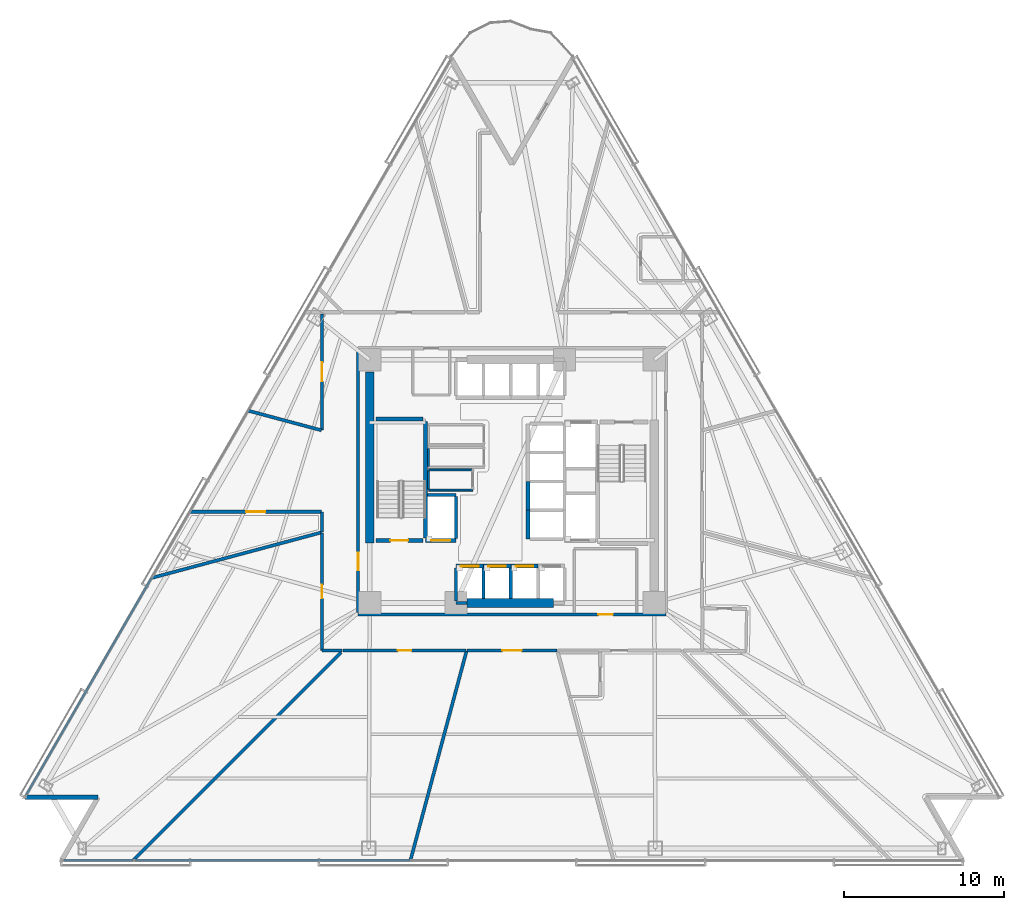
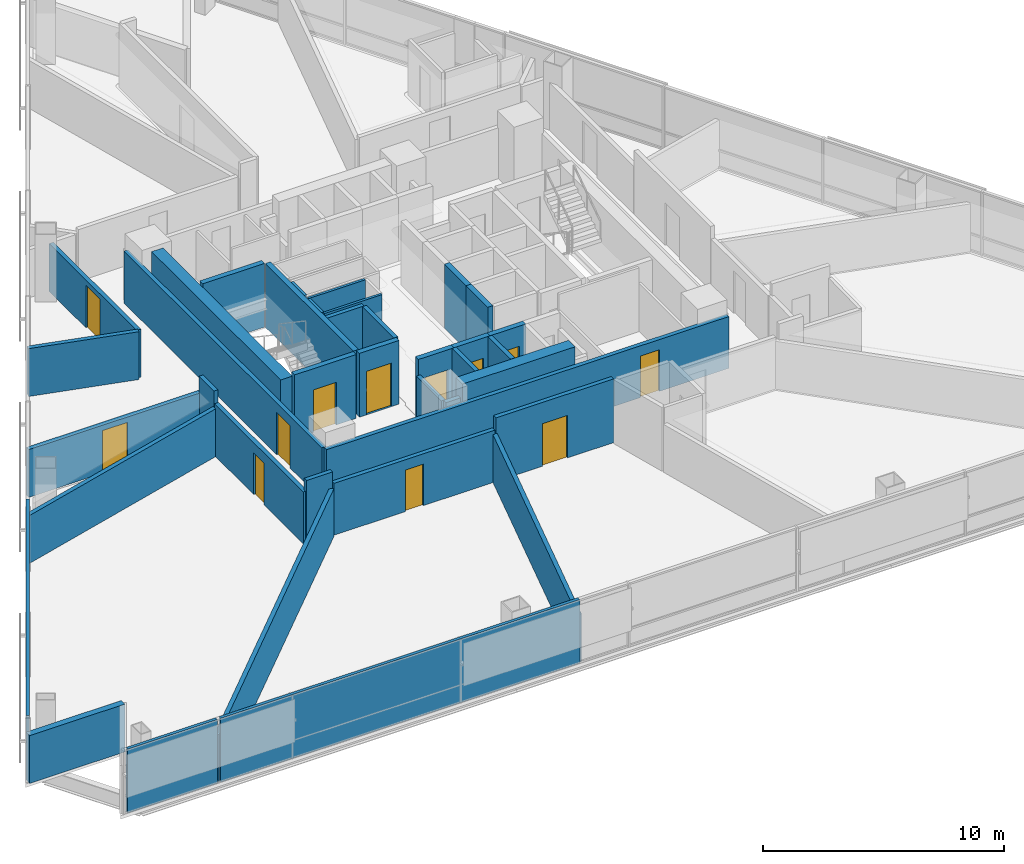
# One storey, part 7 of 16: 38 walls, 12 doors, 12 openings.
"""IFC4 building model written with IfcOpenShell, lengths in metres."""

from ifc_helpers import new_model, si_unit, direction, frame, frame_2d, origin, place, context, subcontext, project, spatial, rectangle, extrude, material, layer, layer_set, type_object, element, fill, save


model = new_model("IFC4")

# Units and contexts
model_context = context("Model", 3, precision=1e-05, world=origin(), true_north=direction((0.0, 1.0)))
body_context = subcontext(model_context, "Body", "Model", "MODEL_VIEW")
ifc_project = project(units=[si_unit("LENGTHUNIT", "METRE"), si_unit("AREAUNIT", "SQUARE_METRE"), si_unit("VOLUMEUNIT", "CUBIC_METRE"), si_unit("PLANEANGLEUNIT", "RADIAN"), si_unit("MASSUNIT", "GRAM", prefix="KILO")], contexts=[model_context])

# Site, building, storey
site_placement = place(None, origin())
site = spatial("IfcSite", under=ifc_project, at=site_placement, CompositionType="ELEMENT")
building_placement = place(site_placement, origin())
building = spatial("IfcBuilding", under=site, at=building_placement, Name="Tharavind Bronze Gate", CompositionType="ELEMENT")
storey_placement = place(building_placement, frame((0.0, 0.0, 48.85009765625)))
storey = spatial("IfcBuildingStorey", under=building, at=storey_placement, Name="L11", CompositionType="ELEMENT", Elevation=48.85009765625)

# Wall
ifc_material_1 = material(Name="Concrete C40/50", Category="concrete")
ifc_layer_1 = layer(ifc_material_1, 0.300048828125)
ifc_layer_set_1 = layer_set([ifc_layer_1], Name="Concrete C40/50")
wall_type_1 = type_object("IfcWallType", Name="EXTERIOR SPANDREL WALL 300", PredefinedType="STANDARD", material=ifc_layer_set_1)
wall_1_placement = place(storey_placement, frame((-30.455810546875, -19.7509765625, 0.0), z_axis=(0.0, 0.0, 1.0), x_axis=(1.0, 0.0, 0.0)))
element("IfcWall", 1, at=wall_1_placement, inside=storey, type_object=wall_type_1, Name="L11 notch cheek wall 2A", PredefinedType="STANDARD", context=body_context, shape_type="SweptSolid", body=[
    extrude(rectangle(XDim=4.56005859375, YDim=0.300048828125, at=frame_2d((2.280029296875, 0.0))), origin(), (0.0, 0.0, 1.0), 2.419921875),
])

# Wall, opening, door
ifc_material_2 = material(Name="Aerated Concrete Block", Category="concrete")
ifc_layer_2 = layer(ifc_material_2, 0.199951171875)
ifc_layer_set_2 = layer_set([ifc_layer_2], Name="Aerated Concrete Block")
wall_type_2 = type_object("IfcWallType", Name="FIRE RATED PARTITION 200", PredefinedType="PARTITIONING", material=ifc_layer_set_2)
wall_2_placement = place(storey_placement, frame((-9.6201171875, -8.320068359375, 0.0), z_axis=(0.0, 0.0, 1.0), x_axis=(1.0, 0.0, 0.0)))
wall_2 = element("IfcWall", 2, at=wall_2_placement, inside=storey, type_object=wall_type_2, Name="L11 south core corridor wall", PredefinedType="PARTITIONING", context=body_context, shape_type="SweptSolid", body=[
    extrude(rectangle(XDim=19.240234375, YDim=0.199951171875, at=frame_2d((9.6201171875, 0.0))), origin(), (0.0, 0.0, 1.0), 2.619873046875),
])
opening_1_placement = place(wall_2_placement, frame((15.02001953125, 0.0, 0.0)))
opening_1 = element("IfcOpeningElement", 3, at=opening_1_placement, cuts=wall_2, Name="Opening ID07", PredefinedType="OPENING", context=body_context, shape_type="SweptSolid", body=[
    extrude(rectangle(XDim=0.89990234375, YDim=2.10009765625, at=frame_2d((0.449951171875, 1.050048828125))), frame((0.0, 0.11009765625, 0.0), z_axis=(0.0, -1.0, 0.0), x_axis=(1.0, 0.0, 0.0)), (0.0, 0.0, 1.0), 0.219951171875),
])
ifc_material_3 = material(Name="Galvanised Fire Steel", Category="steel")
door_type_1 = type_object("IfcDoorType", Name="PLANT AND RISER FIRE DOOR 900X2100", OperationType="SINGLE_SWING_LEFT", PredefinedType="DOOR", material=ifc_material_3)
door_1_placement = place(opening_1_placement, origin())
door_1 = element("IfcDoor", 4, at=door_1_placement, inside=storey, type_object=door_type_1, Name="L11 Telecom Metering Room fire door", OperationType="SINGLE_SWING_LEFT", OverallHeight=2.10009765625, OverallWidth=0.89990234375, PredefinedType="DOOR", context=body_context, shape_type="SweptSolid", body=[
    extrude(rectangle(XDim=0.89990234375, YDim=2.10009765625, at=frame_2d((0.449951171875, 1.050048828125))), frame((0.0, 0.02490234375, 0.0), z_axis=(0.0, -1.0, 0.0), x_axis=(1.0, 0.0, 0.0)), (0.0, 0.0, 1.0), 0.050048828125),
])
fill(opening_1, door_1)

wall_3_placement = place(storey_placement, frame((-9.6201171875, 8.199951171875, 0.0), z_axis=(0.0, 0.0, 1.0), x_axis=(0.0, -1.0, 0.0)))
wall_3 = element("IfcWall", 5, at=wall_3_placement, inside=storey, type_object=wall_type_2, Name="L11 west core corridor wall", PredefinedType="PARTITIONING", context=body_context, shape_type="SweptSolid", body=[
    extrude(rectangle(XDim=16.39990234375, YDim=0.199951171875, at=frame_2d((8.199951171875, 0.0))), origin(), (0.0, 0.0, 1.0), 2.619873046875),
])
opening_2_placement = place(wall_3_placement, frame((12.64990234375, 0.0, 0.0)))
opening_2 = element("IfcOpeningElement", 6, at=opening_2_placement, cuts=wall_3, Name="Opening ID01", PredefinedType="OPENING", context=body_context, shape_type="SweptSolid", body=[
    extrude(rectangle(XDim=1.10009765625, YDim=2.14990234375, at=frame_2d((0.550048828125, 1.074951171875))), frame((0.0, 0.11009765625, 0.0), z_axis=(0.0, -1.0, 0.0), x_axis=(1.0, 0.0, 0.0)), (0.0, 0.0, 1.0), 0.219951171875),
])
ifc_material_4 = material(Name="Fire-Rated Steel", Category="steel")
door_type_2 = type_object("IfcDoorType", Name="STAIR CORE FIRE DOOR 1100X2150", OperationType="SINGLE_SWING_LEFT", PredefinedType="DOOR", material=ifc_material_4)
door_2_placement = place(opening_2_placement, frame((1.10009765625, 0.0, 0.0), z_axis=(0.0, 0.0, 1.0), x_axis=(-1.0, 0.0, 0.0)))
door_2 = element("IfcDoor", 7, at=door_2_placement, inside=storey, type_object=door_type_2, Name="L11 south west stair lobby fire door", OperationType="SINGLE_SWING_LEFT", OverallHeight=2.14990234375, OverallWidth=1.10009765625, PredefinedType="DOOR", context=body_context, shape_type="SweptSolid", body=[
    extrude(rectangle(XDim=1.10009765625, YDim=2.14990234375, at=frame_2d((0.550048828125, 1.074951171875))), frame((0.0, 0.02490234375, 0.0), z_axis=(0.0, -1.0, 0.0), x_axis=(1.0, 0.0, 0.0)), (0.0, 0.0, 1.0), 0.050048828125),
])
fill(opening_2, door_2)

# Wall
wall_4_placement = place(storey_placement, frame((-22.529541015625, -6.036865234375, 0.0), z_axis=(0.0, 0.0, 1.0), x_axis=(0.965922374415, 0.258831927328, 0.0)))
element("IfcWall", 8, at=wall_4_placement, inside=storey, type_object=wall_type_2, Name="L11 Public Restrooms Block partition", PredefinedType="PARTITIONING", context=body_context, shape_type="SweptSolid", body=[
    extrude(rectangle(XDim=10.992431640625, YDim=0.199951171875, at=frame_2d((5.49609375, 0.0))), origin(), (0.0, 0.0, 1.0), 2.419921875),
])

# Wall, opening, door
wall_5_placement = place(storey_placement, frame((-11.8798828125, -3.2158203125, 0.0), z_axis=(0.0, 0.0, 1.0), x_axis=(0.0, -1.0, 0.0)))
wall_5 = element("IfcWall", 9, at=wall_5_placement, inside=storey, type_object=wall_type_2, Name="L11 Public Restrooms Block partition", PredefinedType="PARTITIONING", context=body_context, shape_type="SweptSolid", body=[
    extrude(rectangle(XDim=7.363525390625, YDim=0.199951171875, at=frame_2d((3.681640625, 0.0))), origin(), (0.0, 0.0, 1.0), 2.619873046875),
])
opening_3_placement = place(wall_5_placement, frame((3.257080078125, 0.0, 0.0)))
opening_3 = element("IfcOpeningElement", 10, at=opening_3_placement, cuts=wall_5, Name="Opening ID06", PredefinedType="OPENING", context=body_context, shape_type="SweptSolid", body=[
    extrude(rectangle(XDim=0.85009765625, YDim=2.10009765625, at=frame_2d((0.425048828125, 1.050048828125))), frame((0.0, 0.11009765625, 0.0), z_axis=(0.0, -1.0, 0.0), x_axis=(1.0, 0.0, 0.0)), (0.0, 0.0, 1.0), 0.219951171875),
])
ifc_material_5 = material(Name="Moisture-Resistant Timber", Category="wood")
door_type_3 = type_object("IfcDoorType", Name="BATHROOM PRIVACY DOOR 850X2100", OperationType="SINGLE_SWING_RIGHT", PredefinedType="DOOR", material=ifc_material_5)
door_3_placement = place(opening_3_placement, origin())
door_3 = element("IfcDoor", 11, at=door_3_placement, inside=storey, type_object=door_type_3, Name="L11 Public Restrooms Block door", OperationType="SINGLE_SWING_RIGHT", OverallHeight=2.10009765625, OverallWidth=0.85009765625, PredefinedType="DOOR", context=body_context, shape_type="SweptSolid", body=[
    extrude(rectangle(XDim=0.85009765625, YDim=2.10009765625, at=frame_2d((0.425048828125, 1.050048828125))), frame((0.0, 0.02490234375, 0.0), z_axis=(0.0, -1.0, 0.0), x_axis=(1.0, 0.0, 0.0)), (0.0, 0.0, 1.0), 0.050048828125),
])
fill(opening_3, door_3)

# Walls
wall_6_placement = place(storey_placement, frame((-11.87939453125, -10.580078125, 0.0), z_axis=(0.0, 0.0, 1.0), x_axis=(1.0, 0.0, 0.0)))
element("IfcWall", 12, at=wall_6_placement, inside=storey, type_object=wall_type_2, Name="L11 Public Restrooms Block partition", PredefinedType="PARTITIONING", context=body_context, shape_type="SweptSolid", body=[
    extrude(rectangle(XDim=1.239013671875, YDim=0.199951171875, at=frame_2d((0.61962890625, 0.0))), origin(), (0.0, 0.0, 1.0), 3.224853515625),
])
wall_7_placement = place(storey_placement, frame((-10.68505859375, -10.68505859375, 0.0), z_axis=(0.0, 0.0, 1.0), x_axis=(-0.707106781187, -0.707106781187, 0.0)))
element("IfcWall", 13, at=wall_7_placement, inside=storey, type_object=wall_type_2, Name="L11 Public Restrooms Block partition", PredefinedType="PARTITIONING", context=body_context, shape_type="SweptSolid", body=[
    extrude(rectangle(XDim=18.3955078125, YDim=0.199951171875, at=frame_2d((9.19775390625, 0.0))), origin(), (0.0, 0.0, 1.0), 2.419921875),
])

# Wall, opening, door
wall_8_placement = place(storey_placement, frame((-10.569580078125, -10.580078125, 0.0), z_axis=(0.0, 0.0, 1.0), x_axis=(1.0, 0.0, 0.0)))
wall_8 = element("IfcWall", 14, at=wall_8_placement, inside=storey, type_object=wall_type_2, Name="L11 Public Restrooms Block partition", PredefinedType="PARTITIONING", context=body_context, shape_type="SweptSolid", body=[
    extrude(rectangle(XDim=7.7021484375, YDim=0.199951171875, at=frame_2d((3.85107421875, 0.0))), origin(), (0.0, 0.0, 1.0), 2.619873046875),
])
opening_4_placement = place(wall_8_placement, frame((3.426025390625, 0.0, 0.0)))
opening_4 = element("IfcOpeningElement", 15, at=opening_4_placement, cuts=wall_8, Name="Opening ID06", PredefinedType="OPENING", context=body_context, shape_type="SweptSolid", body=[
    extrude(rectangle(XDim=0.85009765625, YDim=2.10009765625, at=frame_2d((0.425048828125, 1.050048828125))), frame((0.0, 0.11009765625, 0.0), z_axis=(0.0, -1.0, 0.0), x_axis=(1.0, 0.0, 0.0)), (0.0, 0.0, 1.0), 0.219951171875),
])
door_4_placement = place(opening_4_placement, origin())
door_4 = element("IfcDoor", 16, at=door_4_placement, inside=storey, type_object=door_type_3, Name="L11 Public Restrooms Block door", OperationType="SINGLE_SWING_RIGHT", OverallHeight=2.10009765625, OverallWidth=0.85009765625, PredefinedType="DOOR", context=body_context, shape_type="SweptSolid", body=[
    extrude(rectangle(XDim=0.85009765625, YDim=2.10009765625, at=frame_2d((0.425048828125, 1.050048828125))), frame((0.0, 0.02490234375, 0.0), z_axis=(0.0, -1.0, 0.0), x_axis=(1.0, 0.0, 0.0)), (0.0, 0.0, 1.0), 0.050048828125),
])
fill(opening_4, door_4)

# Wall
wall_9_placement = place(storey_placement, frame((-2.84326171875, -10.611572265625, 0.0), z_axis=(0.0, 0.0, 1.0), x_axis=(-0.25882927933, -0.965923083978, 0.0)))
element("IfcWall", 17, at=wall_9_placement, inside=storey, type_object=wall_type_2, Name="L11 Public Restrooms Block partition", PredefinedType="PARTITIONING", context=body_context, shape_type="SweptSolid", body=[
    extrude(rectangle(XDim=13.531005859375, YDim=0.199951171875, at=frame_2d((6.765625, 0.0))), origin(), (0.0, 0.0, 1.0), 2.419921875),
])

# Wall, opening, door
wall_10_placement = place(storey_placement, frame((-11.8798828125, 10.47509765625, 0.0), z_axis=(0.0, 0.0, 1.0), x_axis=(0.0, -1.0, 0.0)))
wall_10 = element("IfcWall", 18, at=wall_10_placement, inside=storey, type_object=wall_type_2, Name="L11 Hotel Guest Lounge partition", PredefinedType="PARTITIONING", context=body_context, shape_type="SweptSolid", body=[
    extrude(rectangle(XDim=7.25927734375, YDim=0.199951171875, at=frame_2d((3.629638671875, 0.0))), origin(), (0.0, 0.0, 1.0), 2.419921875),
])
opening_5_placement = place(wall_10_placement, frame((3.030029296875, 0.0, 0.0)))
opening_5 = element("IfcOpeningElement", 19, at=opening_5_placement, cuts=wall_10, Name="Opening ID05", PredefinedType="OPENING", context=body_context, shape_type="SweptSolid", body=[
    extrude(rectangle(XDim=1.199951171875, YDim=2.14990234375, at=frame_2d((0.60009765625, 1.074951171875))), frame((0.0, 0.11009765625, 0.0), z_axis=(0.0, -1.0, 0.0), x_axis=(1.0, 0.0, 0.0)), (0.0, 0.0, 1.0), 0.219951171875),
])
ifc_material_6 = material(Name="Acoustic Laminated Glass", Category="glass")
door_type_4 = type_object("IfcDoorType", Name="MEETING ROOM GLAZED DOOR 1200X2150", OperationType="SINGLE_SWING_LEFT", PredefinedType="DOOR", material=ifc_material_6)
door_5_placement = place(opening_5_placement, origin())
door_5 = element("IfcDoor", 20, at=door_5_placement, inside=storey, type_object=door_type_4, Name="L11 Hotel Guest Lounge door", OperationType="SINGLE_SWING_LEFT", OverallHeight=2.14990234375, OverallWidth=1.199951171875, PredefinedType="DOOR", context=body_context, shape_type="SweptSolid", body=[
    extrude(rectangle(XDim=1.199951171875, YDim=2.14990234375, at=frame_2d((0.60009765625, 1.074951171875))), frame((0.0, 0.02490234375, 0.0), z_axis=(0.0, -1.0, 0.0), x_axis=(1.0, 0.0, 0.0)), (0.0, 0.0, 1.0), 0.050048828125),
])
fill(opening_5, door_5)

# Wall
wall_11_placement = place(storey_placement, frame((-11.91162109375, 3.191650390625, 0.0), z_axis=(0.0, 0.0, 1.0), x_axis=(-0.965923733473, 0.258826855473, 0.0)))
element("IfcWall", 21, at=wall_11_placement, inside=storey, type_object=wall_type_2, Name="L11 Hotel Guest Lounge partition", PredefinedType="PARTITIONING", context=body_context, shape_type="SweptSolid", body=[
    extrude(rectangle(XDim=4.750244140625, YDim=0.199951171875, at=frame_2d((2.375, 0.0))), origin(), (0.0, 0.0, 1.0), 2.419921875),
])

# Wall, opening, door
wall_12_placement = place(storey_placement, frame((-20.149658203125, -1.89990234375, 0.0), z_axis=(0.0, 0.0, 1.0), x_axis=(1.0, 0.0, 0.0)))
wall_12 = element("IfcWall", 22, at=wall_12_placement, inside=storey, type_object=wall_type_2, Name="L11 Hotel Dining Bistro partition", PredefinedType="PARTITIONING", context=body_context, shape_type="SweptSolid", body=[
    extrude(rectangle(XDim=8.24462890625, YDim=0.199951171875, at=frame_2d((4.122314453125, 0.0))), origin(), (0.0, 0.0, 1.0), 2.419921875),
])
opening_6_placement = place(wall_12_placement, frame((3.52197265625, 0.0, 0.0)))
opening_6 = element("IfcOpeningElement", 23, at=opening_6_placement, cuts=wall_12, Name="Opening ID05", PredefinedType="OPENING", context=body_context, shape_type="SweptSolid", body=[
    extrude(rectangle(XDim=1.199951171875, YDim=2.14990234375, at=frame_2d((0.60009765625, 1.074951171875))), frame((0.0, 0.11009765625, 0.0), z_axis=(0.0, -1.0, 0.0), x_axis=(1.0, 0.0, 0.0)), (0.0, 0.0, 1.0), 0.219951171875),
])
door_6_placement = place(opening_6_placement, origin())
door_6 = element("IfcDoor", 24, at=door_6_placement, inside=storey, type_object=door_type_4, Name="L11 Hotel Dining Bistro door", OperationType="SINGLE_SWING_LEFT", OverallHeight=2.14990234375, OverallWidth=1.199951171875, PredefinedType="DOOR", context=body_context, shape_type="SweptSolid", body=[
    extrude(rectangle(XDim=1.199951171875, YDim=2.14990234375, at=frame_2d((0.60009765625, 1.074951171875))), frame((0.0, 0.02490234375, 0.0), z_axis=(0.0, -1.0, 0.0), x_axis=(1.0, 0.0, 0.0)), (0.0, 0.0, 1.0), 0.050048828125),
])
fill(opening_6, door_6)

# Wall
wall_13_placement = place(storey_placement, frame((-11.8798828125, -1.925048828125, 0.0), z_axis=(0.0, 0.0, 1.0), x_axis=(0.0, -1.0, 0.0)))
element("IfcWall", 25, at=wall_13_placement, inside=storey, type_object=wall_type_2, Name="L11 Hotel Dining Bistro partition", PredefinedType="PARTITIONING", context=body_context, shape_type="SweptSolid", body=[
    extrude(rectangle(XDim=1.239013671875, YDim=0.199951171875, at=frame_2d((0.61962890625, 0.0))), origin(), (0.0, 0.0, 1.0), 3.224853515625),
])

# Wall, opening, door
wall_14_placement = place(storey_placement, frame((-2.815673828125, -10.580078125, 0.0), z_axis=(0.0, 0.0, 1.0), x_axis=(1.0, 0.0, 0.0)))
wall_14 = element("IfcWall", 26, at=wall_14_placement, inside=storey, type_object=wall_type_2, Name="L11 Hotel Guest Lounge partition", PredefinedType="PARTITIONING", context=body_context, shape_type="SweptSolid", body=[
    extrude(rectangle(XDim=5.63134765625, YDim=0.199951171875, at=frame_2d((2.815673828125, 0.0))), origin(), (0.0, 0.0, 1.0), 3.224853515625),
])
opening_7_placement = place(wall_14_placement, frame((2.216064453125, 0.0, 0.0)))
opening_7 = element("IfcOpeningElement", 27, at=opening_7_placement, cuts=wall_14, Name="Opening ID05", PredefinedType="OPENING", context=body_context, shape_type="SweptSolid", body=[
    extrude(rectangle(XDim=1.199951171875, YDim=2.14990234375, at=frame_2d((0.60009765625, 1.074951171875))), frame((0.0, 0.11009765625, 0.0), z_axis=(0.0, -1.0, 0.0), x_axis=(1.0, 0.0, 0.0)), (0.0, 0.0, 1.0), 0.219951171875),
])
door_7_placement = place(opening_7_placement, origin())
door_7 = element("IfcDoor", 28, at=door_7_placement, inside=storey, type_object=door_type_4, Name="L11 Hotel Guest Lounge door", OperationType="SINGLE_SWING_LEFT", OverallHeight=2.14990234375, OverallWidth=1.199951171875, PredefinedType="DOOR", context=body_context, shape_type="SweptSolid", body=[
    extrude(rectangle(XDim=1.199951171875, YDim=2.14990234375, at=frame_2d((0.60009765625, 1.074951171875))), frame((0.0, 0.02490234375, 0.0), z_axis=(0.0, -1.0, 0.0), x_axis=(1.0, 0.0, 0.0)), (0.0, 0.0, 1.0), 0.050048828125),
])
fill(opening_7, door_7)

# Walls
ifc_material_7 = material(Name="Metal Stud Gypsum Partition", Category="gypsum")
ifc_layer_3 = layer(ifc_material_7, 0.1201171875)
ifc_layer_set_3 = layer_set([ifc_layer_3], Name="Metal Stud Gypsum Partition")
wall_type_3 = type_object("IfcWallType", Name="INTERIOR PARTITION WALL 120", PredefinedType="PARTITIONING", material=ifc_layer_set_3)
wall_15_placement = place(storey_placement, frame((-5.219970703125, 2.054931640625, 0.0), z_axis=(0.0, 0.0, 1.0), x_axis=(0.0, -1.0, 0.0)))
element("IfcWall", 29, at=wall_15_placement, inside=storey, type_object=wall_type_3, Name="L11 Comms Data Room partition 4", PredefinedType="PARTITIONING", context=body_context, shape_type="SweptSolid", body=[
    extrude(rectangle(XDim=1.10986328125, YDim=0.1201171875, at=frame_2d((0.554931640625, 0.0))), origin(), (0.0, 0.0, 1.0), 3.224853515625),
])
wall_16_placement = place(storey_placement, frame((-5.219970703125, -0.550048828125, 0.0), z_axis=(0.0, 0.0, 1.0), x_axis=(1.0, 0.0, 0.0)))
element("IfcWall", 30, at=wall_16_placement, inside=storey, type_object=wall_type_3, Name="L11 Electrical Metering Store partition 1", PredefinedType="PARTITIONING", context=body_context, shape_type="SweptSolid", body=[
    extrude(rectangle(XDim=2.77001953125, YDim=0.1201171875, at=frame_2d((1.385009765625, 0.0))), origin(), (0.0, 0.0, 1.0), 3.224853515625),
])
wall_17_placement = place(storey_placement, frame((-2.514892578125, 0.719970703125, 0.0), z_axis=(0.0, 0.0, 1.0), x_axis=(-1.0, 0.0, 0.0)))
element("IfcWall", 31, at=wall_17_placement, inside=storey, type_object=wall_type_3, Name="L11 Electrical Metering Store partition 3", PredefinedType="PARTITIONING", context=body_context, shape_type="SweptSolid", body=[
    extrude(rectangle(XDim=2.705078125, YDim=0.1201171875, at=frame_2d((1.3525390625, 0.0))), origin(), (0.0, 0.0, 1.0), 3.224853515625),
])
wall_18_placement = place(storey_placement, frame((-5.219970703125, 0.655029296875, 0.0), z_axis=(0.0, 0.0, 1.0), x_axis=(0.0, -1.0, 0.0)))
element("IfcWall", 32, at=wall_18_placement, inside=storey, type_object=wall_type_3, Name="L11 Electrical Metering Store partition 4", PredefinedType="PARTITIONING", context=body_context, shape_type="SweptSolid", body=[
    extrude(rectangle(XDim=1.14013671875, YDim=0.1201171875, at=frame_2d((0.570068359375, 0.0))), origin(), (0.0, 0.0, 1.0), 3.224853515625),
])
ifc_material_8 = material(Name="Twin Stud Acoustic Gypsum", Category="gypsum")
ifc_layer_4 = layer(ifc_material_8, 0.14990234375)
ifc_layer_set_4 = layer_set([ifc_layer_4], Name="Twin Stud Acoustic Gypsum")
wall_type_4 = type_object("IfcWallType", Name="INTERIOR PARTITION WALL 150", PredefinedType="PARTITIONING", material=ifc_layer_set_4)
wall_19_placement = place(storey_placement, frame((-30.3662109375, -19.595947265625, 0.0), z_axis=(0.0, 0.0, 1.0), x_axis=(0.499991293932, 0.866030430177, 0.0)))
element("IfcWall", 33, at=wall_19_placement, inside=storey, type_object=wall_type_4, Name="L11 Public Restrooms Block partition", PredefinedType="PARTITIONING", context=body_context, shape_type="SweptSolid", body=[
    extrude(rectangle(XDim=15.643310546875, YDim=0.14990234375, at=frame_2d((7.82177734375, 0.0))), origin(), (0.0, 0.0, 1.0), 3.224853515625),
])
wall_20_placement = place(storey_placement, frame((-23.71044921875, -23.699951171875, 0.0), z_axis=(0.0, 0.0, 1.0), x_axis=(-1.0, 0.0, 0.0)))
element("IfcWall", 34, at=wall_20_placement, inside=storey, type_object=wall_type_4, Name="L11 Public Restrooms Block partition", PredefinedType="PARTITIONING", context=body_context, shape_type="SweptSolid", body=[
    extrude(rectangle(XDim=4.286376953125, YDim=0.14990234375, at=frame_2d((2.14306640625, 0.0))), origin(), (0.0, 0.0, 1.0), 3.224853515625),
])
wall_21_placement = place(storey_placement, frame((-6.36962890625, -23.699951171875, 0.0), z_axis=(0.0, 0.0, 1.0), x_axis=(-1.0, 0.0, 0.0)))
element("IfcWall", 35, at=wall_21_placement, inside=storey, type_object=wall_type_4, Name="L11 Public Restrooms Block partition", PredefinedType="PARTITIONING", context=body_context, shape_type="SweptSolid", body=[
    extrude(rectangle(XDim=17.181884765625, YDim=0.14990234375, at=frame_2d((8.5908203125, 0.0))), origin(), (0.0, 0.0, 1.0), 3.224853515625),
])
ifc_material_9 = material(Name="Concrete C50/60", Category="concrete")
ifc_layer_5 = layer(ifc_material_9, 0.25)
ifc_layer_set_5 = layer_set([ifc_layer_5], Name="Concrete C50/60")
wall_type_5 = type_object("IfcWallType", Name="RC CORE SHEAR WALL 250", PredefinedType="SHEAR", material=ifc_layer_set_5)
wall_22_placement = place(storey_placement, frame((-5.39990234375, -3.550048828125, 0.0), z_axis=(0.0, 0.0, 1.0), x_axis=(0.0, 1.0, 0.0)))
element("IfcWall", 36, at=wall_22_placement, inside=storey, type_object=wall_type_5, Name="L11 ST1 shaft east wall", PredefinedType="SHEAR", context=body_context, shape_type="SweptSolid", body=[
    extrude(rectangle(XDim=7.300048828125, YDim=0.25, at=frame_2d((3.64990234375, 0.0))), origin(), (0.0, 0.0, 1.0), 3.224853515625),
])

# Wall, opening, door
wall_23_placement = place(storey_placement, frame((-8.5, -3.699951171875, 0.0), z_axis=(0.0, 0.0, 1.0), x_axis=(1.0, 0.0, 0.0)))
wall_23 = element("IfcWall", 37, at=wall_23_placement, inside=storey, type_object=wall_type_5, Name="L11 ST1 shaft south wall", PredefinedType="SHEAR", context=body_context, shape_type="SweptSolid", body=[
    extrude(rectangle(XDim=2.949951171875, YDim=0.25, at=frame_2d((1.47509765625, 0.0))), origin(), (0.0, 0.0, 1.0), 3.224853515625),
])
opening_8_placement = place(wall_23_placement, frame((0.89990234375, 0.0, 0.0)))
opening_8 = element("IfcOpeningElement", 38, at=opening_8_placement, cuts=wall_23, Name="Opening ID01", PredefinedType="OPENING", context=body_context, shape_type="SweptSolid", body=[
    extrude(rectangle(XDim=1.10009765625, YDim=2.14990234375, at=frame_2d((0.550048828125, 1.074951171875))), frame((0.0, 0.135, 0.0), z_axis=(0.0, -1.0, 0.0), x_axis=(1.0, 0.0, 0.0)), (0.0, 0.0, 1.0), 0.27),
])
door_8_placement = place(opening_8_placement, origin())
door_8 = element("IfcDoor", 39, at=door_8_placement, inside=storey, type_object=door_type_2, Name="L11 exit stair ST1 fire door", OperationType="SINGLE_SWING_LEFT", OverallHeight=2.14990234375, OverallWidth=1.10009765625, PredefinedType="DOOR", context=body_context, shape_type="SweptSolid", body=[
    extrude(rectangle(XDim=1.10009765625, YDim=2.14990234375, at=frame_2d((0.550048828125, 1.074951171875))), frame((0.0, 0.02490234375, 0.0), z_axis=(0.0, -1.0, 0.0), x_axis=(1.0, 0.0, 0.0)), (0.0, 0.0, 1.0), 0.050048828125),
])
fill(opening_8, door_8)

# Wall
wall_24_placement = place(storey_placement, frame((-8.5, 3.89990234375, 0.0), z_axis=(0.0, 0.0, 1.0), x_axis=(1.0, 0.0, 0.0)))
element("IfcWall", 40, at=wall_24_placement, inside=storey, type_object=wall_type_5, Name="L11 ST1 shaft north wall", PredefinedType="SHEAR", context=body_context, shape_type="SweptSolid", body=[
    extrude(rectangle(XDim=2.949951171875, YDim=0.25, at=frame_2d((1.47509765625, 0.0))), origin(), (0.0, 0.0, 1.0), 3.224853515625),
])

# Wall, opening, door
wall_25_placement = place(storey_placement, frame((-3.5, -5.300048828125, 0.0), z_axis=(0.0, 0.0, 1.0), x_axis=(1.0, 0.0, 0.0)))
wall_25 = element("IfcWall", 41, at=wall_25_placement, inside=storey, type_object=wall_type_5, Name="L11 lift PL1 shaft front wall", PredefinedType="SHEAR", context=body_context, shape_type="SweptSolid", body=[
    extrude(rectangle(XDim=1.71240234375, YDim=0.25, at=frame_2d((0.856201171875, 0.0))), origin(), (0.0, 0.0, 1.0), 3.224853515625),
])
opening_9_placement = place(wall_25_placement, frame((0.305908203125, 0.0, 0.0)))
opening_9 = element("IfcOpeningElement", 42, at=opening_9_placement, cuts=wall_25, Name="Opening LD01", PredefinedType="OPENING", context=body_context, shape_type="SweptSolid", body=[
    extrude(rectangle(XDim=1.10009765625, YDim=2.199951171875, at=frame_2d((0.550048828125, 1.10009765625))), frame((0.0, 0.135, 0.0), z_axis=(0.0, -1.0, 0.0), x_axis=(1.0, 0.0, 0.0)), (0.0, 0.0, 1.0), 0.27),
])
ifc_material_10 = material(Name="Brushed Bronze Stainless Steel", Category="steel")
door_type_5 = type_object("IfcDoorType", Name="LIFT LANDING SLIDING DOOR 1100X2200", OperationType="SLIDING_TO_LEFT", PredefinedType="DOOR", material=ifc_material_10)
door_9_placement = place(opening_9_placement, origin())
door_9 = element("IfcDoor", 43, at=door_9_placement, inside=storey, type_object=door_type_5, Name="L11 lift PL1 sliding landing door", OperationType="SLIDING_TO_LEFT", OverallHeight=2.199951171875, OverallWidth=1.10009765625, PredefinedType="DOOR", context=body_context, shape_type="SweptSolid", body=[
    extrude(rectangle(XDim=1.10009765625, YDim=2.199951171875, at=frame_2d((0.550048828125, 1.10009765625))), frame((0.0, 0.02490234375, 0.0), z_axis=(0.0, -1.0, 0.0), x_axis=(1.0, 0.0, 0.0)), (0.0, 0.0, 1.0), 0.050048828125),
])
fill(opening_9, door_9)

wall_26_placement = place(storey_placement, frame((-1.78759765625, -5.300048828125, 0.0), z_axis=(0.0, 0.0, 1.0), x_axis=(1.0, 0.0, 0.0)))
wall_26 = element("IfcWall", 44, at=wall_26_placement, inside=storey, type_object=wall_type_5, Name="L11 lift PL2 shaft front wall", PredefinedType="SHEAR", context=body_context, shape_type="SweptSolid", body=[
    extrude(rectangle(XDim=1.712646484375, YDim=0.25, at=frame_2d((0.8564453125, 0.0))), origin(), (0.0, 0.0, 1.0), 3.224853515625),
])
opening_10_placement = place(wall_26_placement, frame((0.305908203125, 0.0, 0.0)))
opening_10 = element("IfcOpeningElement", 45, at=opening_10_placement, cuts=wall_26, Name="Opening LD01", PredefinedType="OPENING", context=body_context, shape_type="SweptSolid", body=[
    extrude(rectangle(XDim=1.10009765625, YDim=2.199951171875, at=frame_2d((0.550048828125, 1.10009765625))), frame((0.0, 0.135, 0.0), z_axis=(0.0, -1.0, 0.0), x_axis=(1.0, 0.0, 0.0)), (0.0, 0.0, 1.0), 0.27),
])
door_10_placement = place(opening_10_placement, origin())
door_10 = element("IfcDoor", 46, at=door_10_placement, inside=storey, type_object=door_type_5, Name="L11 lift PL2 sliding landing door", OperationType="SLIDING_TO_LEFT", OverallHeight=2.199951171875, OverallWidth=1.10009765625, PredefinedType="DOOR", context=body_context, shape_type="SweptSolid", body=[
    extrude(rectangle(XDim=1.10009765625, YDim=2.199951171875, at=frame_2d((0.550048828125, 1.10009765625))), frame((0.0, 0.02490234375, 0.0), z_axis=(0.0, -1.0, 0.0), x_axis=(1.0, 0.0, 0.0)), (0.0, 0.0, 1.0), 0.050048828125),
])
fill(opening_10, door_10)

wall_27_placement = place(storey_placement, frame((-0.074951171875, -5.300048828125, 0.0), z_axis=(0.0, 0.0, 1.0), x_axis=(1.0, 0.0, 0.0)))
wall_27 = element("IfcWall", 47, at=wall_27_placement, inside=storey, type_object=wall_type_5, Name="L11 lift PL3 shaft front wall", PredefinedType="SHEAR", context=body_context, shape_type="SweptSolid", body=[
    extrude(rectangle(XDim=1.71240234375, YDim=0.25, at=frame_2d((0.856201171875, 0.0))), origin(), (0.0, 0.0, 1.0), 3.224853515625),
])
opening_11_placement = place(wall_27_placement, frame((0.305908203125, 0.0, 0.0)))
opening_11 = element("IfcOpeningElement", 48, at=opening_11_placement, cuts=wall_27, Name="Opening LD01", PredefinedType="OPENING", context=body_context, shape_type="SweptSolid", body=[
    extrude(rectangle(XDim=1.10009765625, YDim=2.199951171875, at=frame_2d((0.550048828125, 1.10009765625))), frame((0.0, 0.135, 0.0), z_axis=(0.0, -1.0, 0.0), x_axis=(1.0, 0.0, 0.0)), (0.0, 0.0, 1.0), 0.27),
])
door_11_placement = place(opening_11_placement, origin())
door_11 = element("IfcDoor", 49, at=door_11_placement, inside=storey, type_object=door_type_5, Name="L11 lift PL3 sliding landing door", OperationType="SLIDING_TO_LEFT", OverallHeight=2.199951171875, OverallWidth=1.10009765625, PredefinedType="DOOR", context=body_context, shape_type="SweptSolid", body=[
    extrude(rectangle(XDim=1.10009765625, YDim=2.199951171875, at=frame_2d((0.550048828125, 1.10009765625))), frame((0.0, 0.02490234375, 0.0), z_axis=(0.0, -1.0, 0.0), x_axis=(1.0, 0.0, 0.0)), (0.0, 0.0, 1.0), 0.050048828125),
])
fill(opening_11, door_11)

# Walls
for number, where, z_axis, x_axis, name in (
    (50, (1.0, -3.60009765625, 0.0), (0.0, 0.0, 1.0), (0.0, 1.0, 0.0), "L11 lift PL9 shaft front wall"),
    (51, (1.0, -1.800048828125, 0.0), (0.0, 0.0, 1.0), (0.0, 1.0, 0.0), "L11 lift PL10 shaft front wall"),
):
    element("IfcWall", number, at=place(storey_placement, frame(where, z_axis=z_axis, x_axis=x_axis)), inside=storey, type_object=wall_type_5, Name=name, PredefinedType="SHEAR", context=body_context, shape_type="SweptSolid", body=[
        extrude(rectangle(XDim=1.800048828125, YDim=0.25, at=frame_2d((0.89990234375, 0.0))), origin(), (0.0, 0.0, 1.0), 3.224853515625),
    ])

# Wall, opening, door
wall_28_placement = place(storey_placement, frame((-5.39990234375, -3.699951171875, 0.0), z_axis=(0.0, 0.0, 1.0), x_axis=(1.0, 0.0, 0.0)))
wall_28 = element("IfcWall", 52, at=wall_28_placement, inside=storey, type_object=wall_type_5, Name="L11 lift FFL1 shaft front wall", PredefinedType="SHEAR", context=body_context, shape_type="SweptSolid", body=[
    extrude(rectangle(XDim=1.89990234375, YDim=0.25, at=frame_2d((0.949951171875, 0.0))), origin(), (0.0, 0.0, 1.0), 3.224853515625),
])
opening_12_placement = place(wall_28_placement, frame((0.35009765625, 0.0, 0.0)))
opening_12 = element("IfcOpeningElement", 53, at=opening_12_placement, cuts=wall_28, Name="Opening LD02", PredefinedType="OPENING", context=body_context, shape_type="SweptSolid", body=[
    extrude(rectangle(XDim=1.199951171875, YDim=2.199951171875, at=frame_2d((0.60009765625, 1.10009765625))), frame((0.0, 0.135, 0.0), z_axis=(0.0, -1.0, 0.0), x_axis=(1.0, 0.0, 0.0)), (0.0, 0.0, 1.0), 0.27),
])
ifc_material_11 = material(Name="Brushed Stainless Steel", Category="steel")
door_type_6 = type_object("IfcDoorType", Name="FIREFIGHTING LIFT LANDING DOOR 1200X2200", OperationType="SLIDING_TO_RIGHT", PredefinedType="DOOR", material=ifc_material_11)
door_12_placement = place(opening_12_placement, origin())
door_12 = element("IfcDoor", 54, at=door_12_placement, inside=storey, type_object=door_type_6, Name="L11 lift FFL1 sliding landing door", OperationType="SLIDING_TO_RIGHT", OverallHeight=2.199951171875, OverallWidth=1.199951171875, PredefinedType="DOOR", context=body_context, shape_type="SweptSolid", body=[
    extrude(rectangle(XDim=1.199951171875, YDim=2.199951171875, at=frame_2d((0.60009765625, 1.10009765625))), frame((0.0, 0.02490234375, 0.0), z_axis=(0.0, -1.0, 0.0), x_axis=(1.0, 0.0, 0.0)), (0.0, 0.0, 1.0), 0.050048828125),
])
fill(opening_12, door_12)

# Walls
ifc_material_12 = material(Name="Concrete C60/75", Category="concrete")
ifc_layer_6 = layer(ifc_material_12, 0.550048828125)
ifc_layer_set_6 = layer_set([ifc_layer_6], Name="Concrete C60/75")
wall_type_6 = type_object("IfcWallType", Name="RC CORE SHEAR WALL 550", PredefinedType="SHEAR", material=ifc_layer_set_6)
wall_29_placement = place(storey_placement, frame((-2.800048828125, -7.60009765625, 0.0), z_axis=(0.0, 0.0, 1.0), x_axis=(1.0, 0.0, 0.0)))
element("IfcWall", 55, at=wall_29_placement, inside=storey, type_object=wall_type_6, Name="L11 south core shear wall", PredefinedType="SHEAR", context=body_context, shape_type="SweptSolid", body=[
    extrude(rectangle(XDim=5.380126953125, YDim=0.550048828125, at=frame_2d((2.68994140625, 0.0))), origin(), (0.0, 0.0, 1.0), 3.224853515625),
])
wall_30_placement = place(storey_placement, frame((-8.89990234375, -3.85009765625, 0.0), z_axis=(0.0, 0.0, 1.0), x_axis=(0.0, 1.0, 0.0)))
element("IfcWall", 56, at=wall_30_placement, inside=storey, type_object=wall_type_6, Name="L11 west core shear wall", PredefinedType="SHEAR", context=body_context, shape_type="SweptSolid", body=[
    extrude(rectangle(XDim=10.7001953125, YDim=0.550048828125, at=frame_2d((5.35009765625, 0.0))), origin(), (0.0, 0.0, 1.0), 3.224853515625),
])
ifc_layer_7 = layer(ifc_material_1, 0.199951171875)
ifc_layer_set_7 = layer_set([ifc_layer_7], Name="Concrete C40/50")
wall_type_7 = type_object("IfcWallType", Name="SHAFT ENCLOSURE WALL 200", PredefinedType="PARTITIONING", material=ifc_layer_set_7)
wall_31_placement = place(storey_placement, frame((-3.5, -7.60009765625, 0.0), z_axis=(0.0, 0.0, 1.0), x_axis=(1.0, 0.0, 0.0)))
element("IfcWall", 57, at=wall_31_placement, inside=storey, type_object=wall_type_7, Name="L11 lift PL1 shaft S enclosure wall", PredefinedType="PARTITIONING", context=body_context, shape_type="SweptSolid", body=[
    extrude(rectangle(XDim=0.699951171875, YDim=0.199951171875, at=frame_2d((0.35009765625, 0.0))), origin(), (0.0, 0.0, 1.0), 2.419921875),
])
wall_32_placement = place(storey_placement, frame((-3.5, -7.4951171875, 0.0), z_axis=(0.0, 0.0, 1.0), x_axis=(0.0, 1.0, 0.0)))
element("IfcWall", 58, at=wall_32_placement, inside=storey, type_object=wall_type_7, Name="L11 lift PL1 shaft W enclosure wall", PredefinedType="PARTITIONING", context=body_context, shape_type="SweptSolid", body=[
    extrude(rectangle(XDim=2.065185546875, YDim=0.199951171875, at=frame_2d((1.03271484375, 0.0))), origin(), (0.0, 0.0, 1.0), 2.419921875),
])
for number, where, z_axis, x_axis, name in (
    (59, (-1.78759765625, -7.320068359375, 0.0), (0.0, 0.0, 1.0), (0.0, 1.0, 0.0), "L11 lift PL1 shaft E enclosure wall"),
    (60, (-0.074951171875, -7.320068359375, 0.0), (0.0, 0.0, 1.0), (0.0, 1.0, 0.0), "L11 lift PL2 shaft E enclosure wall"),
):
    element("IfcWall", number, at=place(storey_placement, frame(where, z_axis=z_axis, x_axis=x_axis)), inside=storey, type_object=wall_type_7, Name=name, PredefinedType="PARTITIONING", context=body_context, shape_type="SweptSolid", body=[
        extrude(rectangle(XDim=1.89013671875, YDim=0.199951171875, at=frame_2d((0.945068359375, 0.0))), origin(), (0.0, 0.0, 1.0), 3.224853515625),
    ])
wall_33_placement = place(storey_placement, frame((-5.27001953125, -0.85009765625, 0.0), z_axis=(0.0, 0.0, 1.0), x_axis=(1.0, 0.0, 0.0)))
element("IfcWall", 61, at=wall_33_placement, inside=storey, type_object=wall_type_7, Name="L11 lift FFL1 shaft N enclosure wall", PredefinedType="PARTITIONING", context=body_context, shape_type="SweptSolid", body=[
    extrude(rectangle(XDim=1.77001953125, YDim=0.199951171875, at=frame_2d((0.885009765625, 0.0))), origin(), (0.0, 0.0, 1.0), 3.224853515625),
])
wall_34_placement = place(storey_placement, frame((-3.5, -3.570068359375, 0.0), z_axis=(0.0, 0.0, 1.0), x_axis=(0.0, 1.0, 0.0)))
element("IfcWall", 62, at=wall_34_placement, inside=storey, type_object=wall_type_7, Name="L11 lift FFL1 shaft E enclosure wall", PredefinedType="PARTITIONING", context=body_context, shape_type="SweptSolid", body=[
    extrude(rectangle(XDim=2.614990234375, YDim=0.199951171875, at=frame_2d((1.3076171875, 0.0))), origin(), (0.0, 0.0, 1.0), 3.224853515625),
])

save(model, "model.ifc")
